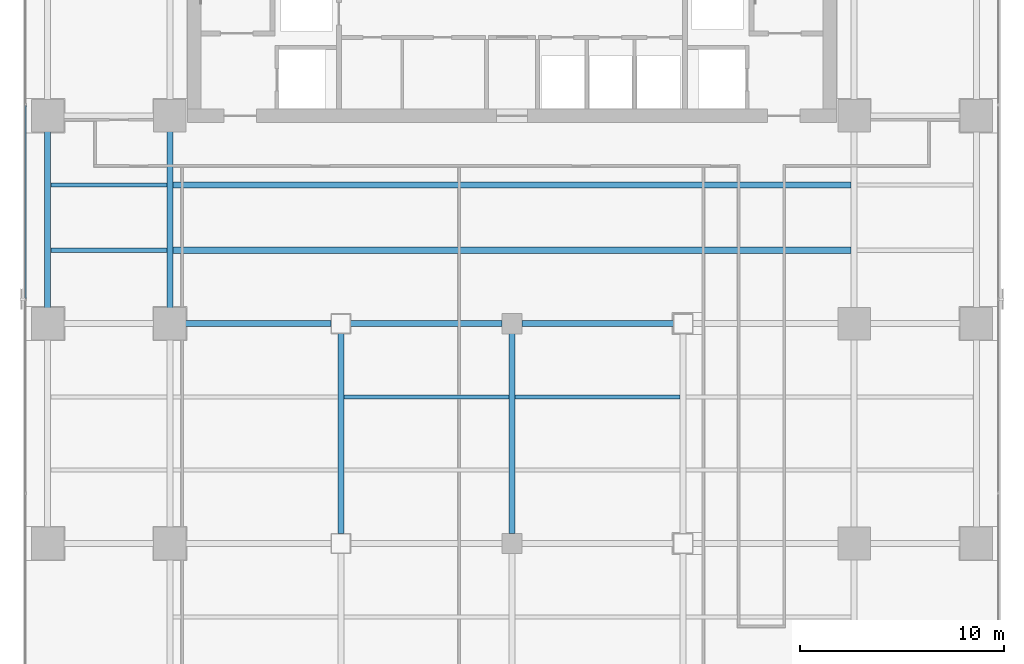
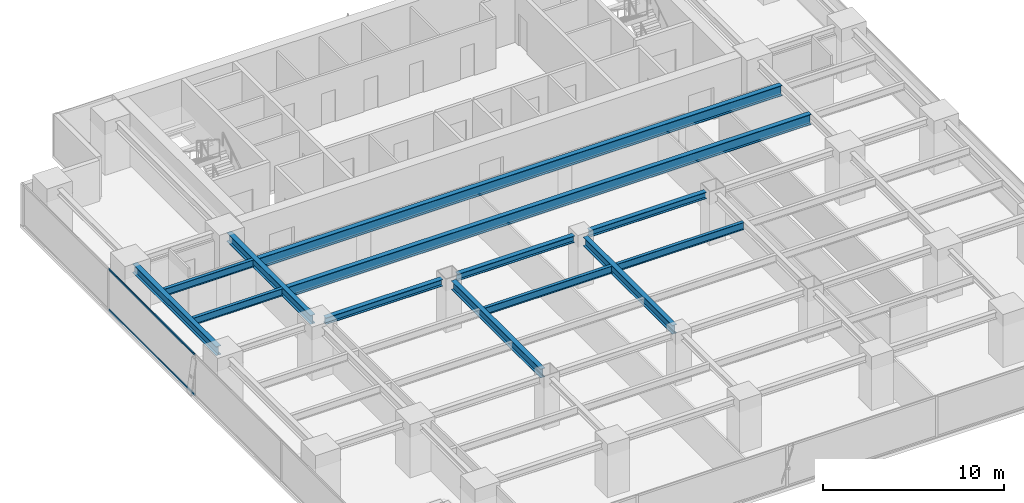
# One storey, part 8 of 27: 13 beams, 2 members, 1 element without a shape of its own.
"""IFC4 building model written with IfcOpenShell, lengths in metres."""

from ifc_helpers import new_model, si_unit, direction, frame, origin, origin_2d, place, context, subcontext, project, spatial, hollow_rectangle, i_section, extrude, source, transform, mapped, material, layer, layer_set, material_profile, profile_set, type_object, element, aggregate, save


model = new_model("IFC4")

# Units and contexts
model_context = context("Model", 3, precision=1e-05, world=origin(), true_north=direction((0.0, 1.0)))
body_context = subcontext(model_context, "Body", "Model", "MODEL_VIEW")
ifc_project = project(units=[si_unit("LENGTHUNIT", "METRE"), si_unit("AREAUNIT", "SQUARE_METRE"), si_unit("VOLUMEUNIT", "CUBIC_METRE"), si_unit("PLANEANGLEUNIT", "RADIAN"), si_unit("MASSUNIT", "GRAM", prefix="KILO")], contexts=[model_context])

# Site, building, storey
site_placement = place(None, origin())
site = spatial("IfcSite", under=ifc_project, at=site_placement, CompositionType="ELEMENT")
building_placement = place(site_placement, origin())
building = spatial("IfcBuilding", under=site, at=building_placement, Name="Sumidabori Civic Tower", CompositionType="ELEMENT")
storey_placement = place(building_placement, frame((0.0, 0.0, 135.199951171875)))
storey = spatial("IfcBuildingStorey", under=building, at=storey_placement, Name="L34", CompositionType="ELEMENT", Elevation=135.199951171875)

# Beams
ifc_material_1 = material(Name="Steel SN490", Category="steel")
ifc_material_profile_1 = material_profile(ifc_material_1, i_section(OverallWidth=0.300048828125, OverallDepth=0.60009765625, WebThickness=0.015380859375, FlangeThickness=0.030029296875, at=origin_2d()), Name="HE 600 B")
ifc_profile_set_1 = profile_set([ifc_material_profile_1], Name="Steel SN490")
beam_type_1 = type_object("IfcBeamType", Name="BM-GIRD-600", PredefinedType="BEAM", material=ifc_profile_set_1)
shared_shape_1 = source(origin(), body_context, "Body", "SweptSolid", [
    extrude(i_section(OverallWidth=0.300048828125, OverallDepth=0.60009765625, WebThickness=0.015380859375, FlangeThickness=0.030029296875, at=origin_2d()), origin(), (0.0, 0.0, 1.0), 9.840087890625),
])
for number, where, z_axis, x_axis, name in (
    (1, (-8.39990234375, -10.320068359375, 3.080078125), (0.0, 1.0, 0.0), (-1.0, 0.0, 0.0), "Primary Girder L34 GY-27"),
    (2, (0.0, -10.320068359375, 3.080078125), (0.0, 1.0, 0.0), (-1.0, 0.0, 0.0), "Primary Girder L34 GY-29"),
):
    element("IfcBeam", number, at=place(storey_placement, frame(where, z_axis=z_axis, x_axis=x_axis)), inside=storey, type_object=beam_type_1, Name=name, PredefinedType="BEAM", context=body_context, shape_type="MappedRepresentation", body=[
        mapped(shared_shape_1, transform((0.0, 0.0, 0.0), x_axis=(1.0, 0.0, 0.0), y_axis=(0.0, 1.0, 0.0), z_axis=(0.0, 0.0, 1.0), scale=1.0)),
    ])
shared_shape_2 = source(origin(), body_context, "Body", "SweptSolid", [
    extrude(i_section(OverallWidth=0.300048828125, OverallDepth=0.60009765625, WebThickness=0.015380859375, FlangeThickness=0.030029296875, at=origin_2d()), origin(), (0.0, 0.0, 1.0), 9.239990234375),
])
for number, where, z_axis, x_axis, name in (
    (3, (-22.800048828125, 0.47998046875, 3.080078125), (0.0, 1.0, 0.0), (-1.0, 0.0, 0.0), "Primary Girder L34 GY-20"),
    (4, (-16.800048828125, 0.47998046875, 3.080078125), (0.0, 1.0, 0.0), (-1.0, 0.0, 0.0), "Primary Girder L34 GY-24"),
):
    element("IfcBeam", number, at=place(storey_placement, frame(where, z_axis=z_axis, x_axis=x_axis)), inside=storey, type_object=beam_type_1, Name=name, PredefinedType="BEAM", context=body_context, shape_type="MappedRepresentation", body=[
        mapped(shared_shape_2, transform((0.0, 0.0, 0.0), x_axis=(1.0, 0.0, 0.0), y_axis=(0.0, 1.0, 0.0), z_axis=(0.0, 0.0, 1.0), scale=1.0)),
    ])
ifc_material_profile_2 = material_profile(ifc_material_1, i_section(OverallWidth=0.199951171875, OverallDepth=0.5, WebThickness=0.01025390625, FlangeThickness=0.01611328125, at=origin_2d()), Name="IPE 500")
ifc_profile_set_2 = profile_set([ifc_material_profile_2], Name="Steel SN490")
beam_type_2 = type_object("IfcBeamType", Name="BM-JST-500", PredefinedType="JOIST", material=ifc_profile_set_2)
shared_shape_3 = source(origin(), body_context, "Body", "SweptSolid", [
    extrude(i_section(OverallWidth=0.199951171875, OverallDepth=0.5, WebThickness=0.01025390625, FlangeThickness=0.01611328125, at=origin_2d()), origin(), (0.0, 0.0, 1.0), 5.699951171875),
])
for number, where, z_axis, x_axis, name in (
    (5, (-22.64990234375, 3.60009765625, 3.130126953125), (1.0, 0.0, 0.0), (0.0, 1.0, 0.0), "Outer Bay Floor Joist L34 JSTO-43"),
    (6, (-22.64990234375, 6.800048828125, 3.130126953125), (1.0, 0.0, 0.0), (0.0, 1.0, 0.0), "Outer Bay Floor Joist L34 JSTO-45"),
):
    element("IfcBeam", number, at=place(storey_placement, frame(where, z_axis=z_axis, x_axis=x_axis)), inside=storey, type_object=beam_type_2, Name=name, PredefinedType="JOIST", context=body_context, shape_type="MappedRepresentation", body=[
        mapped(shared_shape_3, transform((0.0, 0.0, 0.0), x_axis=(1.0, 0.0, 0.0), y_axis=(0.0, 1.0, 0.0), z_axis=(0.0, 0.0, 1.0), scale=1.0)),
    ])
ifc_material_profile_3 = material_profile(ifc_material_1, i_section(OverallWidth=0.300048828125, OverallDepth=0.699951171875, WebThickness=0.01708984375, FlangeThickness=0.031982421875, at=origin_2d()), Name="HE 700 B")
ifc_profile_set_3 = profile_set([ifc_material_profile_3], Name="Steel SN490")
beam_type_3 = type_object("IfcBeamType", Name="BM-GIRD-700", PredefinedType="BEAM", material=ifc_profile_set_3)
shared_shape_4 = source(origin(), body_context, "Body", "SweptSolid", [
    extrude(i_section(OverallWidth=0.300048828125, OverallDepth=0.699951171875, WebThickness=0.01708984375, FlangeThickness=0.031982421875, at=origin_2d()), origin(), (0.0, 0.0, 1.0), 33.2998046875),
])
for number, where, z_axis, x_axis, name in (
    (7, (-16.64990234375, 3.60009765625, 3.030029296875), (1.0, 0.0, 0.0), (0.0, 1.0, 0.0), "North Bay Floor Beam L34 JSTN-47"),
    (8, (-16.64990234375, 6.800048828125, 3.030029296875), (1.0, 0.0, 0.0), (0.0, 1.0, 0.0), "North Bay Floor Beam L34 JSTN-48"),
):
    element("IfcBeam", number, at=place(storey_placement, frame(where, z_axis=z_axis, x_axis=x_axis)), inside=storey, type_object=beam_type_3, Name=name, PredefinedType="BEAM", context=body_context, shape_type="MappedRepresentation", body=[
        mapped(shared_shape_4, transform((0.0, 0.0, 0.0), x_axis=(1.0, 0.0, 0.0), y_axis=(0.0, 1.0, 0.0), z_axis=(0.0, 0.0, 1.0), scale=1.0)),
    ])
shared_shape_5 = source(origin(), body_context, "Body", "SweptSolid", [
    extrude(i_section(OverallWidth=0.199951171875, OverallDepth=0.5, WebThickness=0.01025390625, FlangeThickness=0.01611328125, at=origin_2d()), origin(), (0.0, 0.0, 1.0), 8.10009765625),
])
for number, where, z_axis, x_axis, name in (
    (9, (-8.25, -3.60009765625, 3.130126953125), (1.0, 0.0, 0.0), (0.0, 1.0, 0.0), "South Bay Floor Joist L34 JSTS-58"),
    (10, (0.14990234375, -3.60009765625, 3.130126953125), (1.0, 0.0, 0.0), (0.0, 1.0, 0.0), "South Bay Floor Joist L34 JSTS-59"),
):
    element("IfcBeam", number, at=place(storey_placement, frame(where, z_axis=z_axis, x_axis=x_axis)), inside=storey, type_object=beam_type_2, Name=name, PredefinedType="JOIST", context=body_context, shape_type="MappedRepresentation", body=[
        mapped(shared_shape_5, transform((0.0, 0.0, 0.0), x_axis=(1.0, 0.0, 0.0), y_axis=(0.0, 1.0, 0.0), z_axis=(0.0, 0.0, 1.0), scale=1.0)),
    ])
ifc_material_profile_4 = material_profile(ifc_material_1, i_section(OverallWidth=0.300048828125, OverallDepth=0.449951171875, WebThickness=0.013916015625, FlangeThickness=0.02587890625, at=origin_2d()), Name="HE 450 B")
ifc_profile_set_4 = profile_set([ifc_material_profile_4], Name="Steel SN490")
beam_type_4 = type_object("IfcBeamType", Name="BM-GIRD-450", PredefinedType="BEAM", material=ifc_profile_set_4)
shared_shape_6 = source(origin(), body_context, "Body", "SweptSolid", [
    extrude(i_section(OverallWidth=0.300048828125, OverallDepth=0.449951171875, WebThickness=0.013916015625, FlangeThickness=0.02587890625, at=origin_2d()), origin(), (0.0, 0.0, 1.0), 7.440185546875),
])
beam_placement = place(storey_placement, frame((-16.320068359375, 0.0, 3.155029296875), z_axis=(1.0, 0.0, 0.0), x_axis=(0.0, 1.0, 0.0)))
element("IfcBeam", 11, at=beam_placement, inside=storey, type_object=beam_type_4, Name="Primary Girder L34 GX-12", PredefinedType="BEAM", context=body_context, shape_type="MappedRepresentation", body=[
    mapped(shared_shape_6, transform((0.0, 0.0, 0.0), x_axis=(1.0, 0.0, 0.0), y_axis=(0.0, 1.0, 0.0), z_axis=(0.0, 0.0, 1.0), scale=1.0)),
])
shared_shape_7 = source(origin(), body_context, "Body", "SweptSolid", [
    extrude(i_section(OverallWidth=0.300048828125, OverallDepth=0.449951171875, WebThickness=0.013916015625, FlangeThickness=0.02587890625, at=origin_2d()), origin(), (0.0, 0.0, 1.0), 7.43994140625),
])
for number, where, z_axis, x_axis, name in (
    (12, (-7.919921875, 0.0, 3.155029296875), (1.0, 0.0, 0.0), (0.0, 1.0, 0.0), "Primary Girder L34 GX-13"),
    (13, (0.47998046875, 0.0, 3.155029296875), (1.0, 0.0, 0.0), (0.0, 1.0, 0.0), "Primary Girder L34 GX-14"),
):
    element("IfcBeam", number, at=place(storey_placement, frame(where, z_axis=z_axis, x_axis=x_axis)), inside=storey, type_object=beam_type_4, Name=name, PredefinedType="BEAM", context=body_context, shape_type="MappedRepresentation", body=[
        mapped(shared_shape_7, transform((0.0, 0.0, 0.0), x_axis=(1.0, 0.0, 0.0), y_axis=(0.0, 1.0, 0.0), z_axis=(0.0, 0.0, 1.0), scale=1.0)),
    ])

# Curtain wall, members
ifc_material_2 = material(Name="Anodised Bronze Aluminium AW-6063-T6", Category="aluminium")
ifc_layer = layer(ifc_material_2, 0.179931640625, Name="Anodised Bronze Aluminium AW-6063-T6")
ifc_layer_set = layer_set([ifc_layer], Name="Anodised Bronze Aluminium AW-6063-T6")
curtain_wall_type = type_object("IfcCurtainWallType", Name="CW-SYS-3", PredefinedType="NOTDEFINED", material=ifc_layer_set)
curtain_wall_placement = place(storey_placement, origin())
curtain_wall = element("IfcCurtainWall", 14, at=curtain_wall_placement, inside=storey, type_object=curtain_wall_type, Name="Curtain Wall CW:L34:R10", PredefinedType="NOTDEFINED")
ifc_material_profile_5 = material_profile(ifc_material_2, hollow_rectangle(XDim=0.06005859375, YDim=0.1298828125, WallThickness=0.0048828125, at=origin_2d()), Name="ALU TRANSOM 130x60")
ifc_profile_set_5 = profile_set([ifc_material_profile_5], Name="Anodised Bronze Aluminium AW-6063-T6")
member_type = type_object("IfcMemberType", Name="CW-TRN-130", PredefinedType="USERDEFINED", material=ifc_profile_set_5)
shared_shape_8 = source(origin(), body_context, "Body", "SweptSolid", [
    extrude(hollow_rectangle(XDim=0.06005859375, YDim=0.1298828125, WallThickness=0.0048828125, at=origin_2d()), origin(), (0.0, 0.0, 1.0), 9.469970703125),
])
member_1_placement = place(storey_placement, frame((-23.8798828125, 10.702392578125, 0.030029296875), z_axis=(0.0, -1.0, 0.0), x_axis=(1.0, 0.0, 0.0)))
member_1 = element("IfcMember", 15, at=member_1_placement, type_object=member_type, Name="CW-3 transom 2.1", ObjectType="TRANSOM", PredefinedType="USERDEFINED", context=body_context, shape_type="MappedRepresentation", body=[
    mapped(shared_shape_8, transform((0.0, 0.0, 0.0), x_axis=(1.0, 0.0, 0.0), y_axis=(0.0, 1.0, 0.0), z_axis=(0.0, 0.0, 1.0), scale=1.0)),
])
member_2_placement = place(storey_placement, frame((-23.8798828125, 10.702392578125, 2.72998046875), z_axis=(0.0, -1.0, 0.0), x_axis=(1.0, 0.0, 0.0)))
member_2 = element("IfcMember", 16, at=member_2_placement, type_object=member_type, Name="CW-3 transom 2.2", ObjectType="TRANSOM", PredefinedType="USERDEFINED", context=body_context, shape_type="MappedRepresentation", body=[
    mapped(shared_shape_8, transform((0.0, 0.0, 0.0), x_axis=(1.0, 0.0, 0.0), y_axis=(0.0, 1.0, 0.0), z_axis=(0.0, 0.0, 1.0), scale=1.0)),
])
aggregate(curtain_wall, [member_1, member_2])

save(model, "model.ifc")
